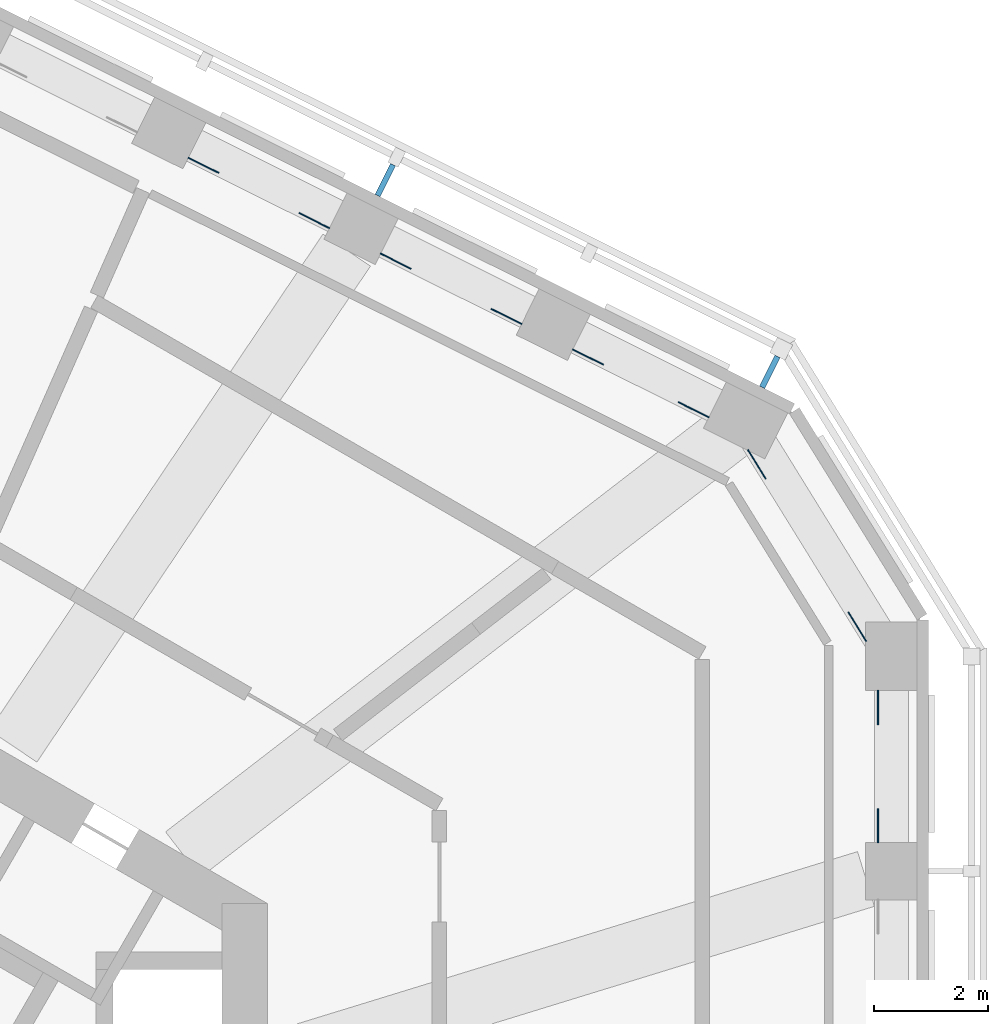
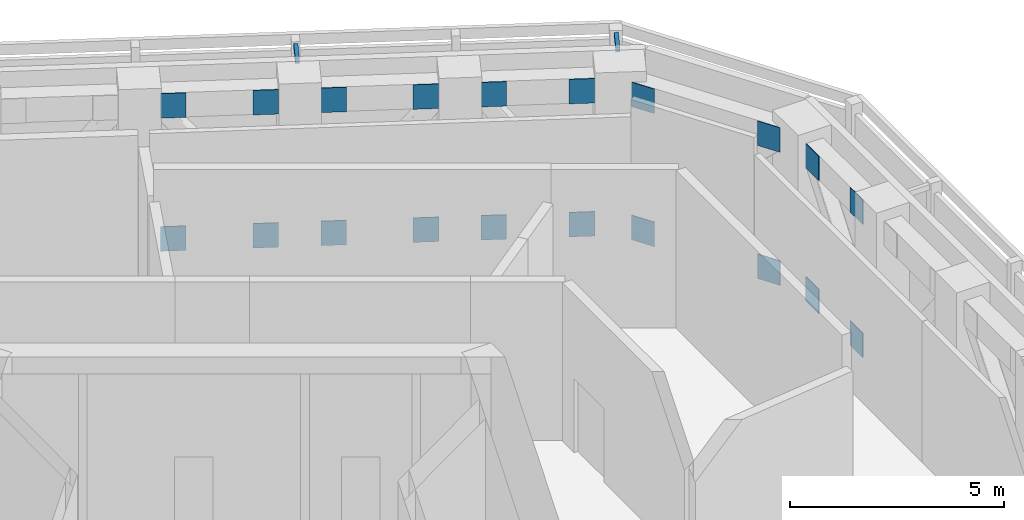
# One storey, part 14 of 15: 22 discrete accessories.
"""IFC4 building model written with IfcOpenShell, lengths in metres."""

import ifcopenshell
import ifcopenshell.guid

model = None  # the IFC model being written
_history = None  # IfcOwnerHistory: only IFC2X3 demands one
_inside = {}  # id of a spatial element -> (the spatial element, [elements in it])
_under = {}  # id of a project, library or spatial element -> (it, [spatial elements below it])
_declared = {}  # id of a project -> (the project, [libraries it declares])
_typed = {}  # id of a type object -> (the type object, [elements of that type])
_made_of = {}  # id of a material, layer set ... -> (it, [elements and type objects made of it])


def new_model(schema):
    """Start an empty IFC model of exactly this schema.

    Asked for "IFC4X3", IfcOpenShell would pick the latest addendum, in which some entities
    have other attributes; the version numbers below select the first issue.
    IFC2X3 requires an IfcOwnerHistory on every rooted entity: one is made here for all.
    """
    global model, _history
    if schema == "IFC4X3":
        model = ifcopenshell.file(schema_version=(4, 3, 0, 0))
    else:
        model = ifcopenshell.file(schema=schema)
    _inside.clear()
    _under.clear()
    _declared.clear()
    _typed.clear()
    _made_of.clear()
    _history = None
    if model.schema == "IFC2X3":
        org = make("IfcOrganization", Name="unknown")
        user = make(
            "IfcPersonAndOrganization",
            ThePerson=make("IfcPerson", FamilyName="unknown"),
            TheOrganization=org,
        )
        app = make(
            "IfcApplication",
            ApplicationDeveloper=org,
            Version="unknown",
            ApplicationFullName="unknown",
            ApplicationIdentifier="unknown",
        )
        _history = make(
            "IfcOwnerHistory",
            OwningUser=user,
            OwningApplication=app,
            ChangeAction="ADDED",
            CreationDate=0,
        )
    return model


def make(cls, **values):
    """One entity of the class cls with the attributes given. An attribute that is None is left unset."""
    return model.create_entity(
        cls, **{name: value for name, value in values.items() if value is not None}
    )


def rooted(cls, **values):
    """An entity with a GlobalId (a new one), such as an element, a storey or a relation."""
    return make(cls, GlobalId=ifcopenshell.guid.new(), OwnerHistory=_history, **values)


def si_unit(unit_type, name, prefix=None):
    """IfcSIUnit, for example si_unit("LENGTHUNIT", "METRE", prefix="MILLI")."""
    return make("IfcSIUnit", UnitType=unit_type, Prefix=prefix, Name=name)


def assignment(units):
    """IfcUnitAssignment: the units of a project."""
    return None if units is None else make("IfcUnitAssignment", Units=units)


def point(xyz):
    """IfcCartesianPoint."""
    return None if xyz is None else make("IfcCartesianPoint", Coordinates=xyz)


def direction(xyz):
    """IfcDirection."""
    return None if xyz is None else make("IfcDirection", DirectionRatios=xyz)


def frame(location, z_axis=None, x_axis=None):
    """IfcAxis2Placement3D, a coordinate frame: its origin and axes. An axis left out is left unset."""
    return make(
        "IfcAxis2Placement3D",
        Location=point(location),
        Axis=direction(z_axis),
        RefDirection=direction(x_axis),
    )


def frame_2d(location, x_axis=None):
    """IfcAxis2Placement2D, a coordinate frame in the plane: its origin and x axis."""
    return make(
        "IfcAxis2Placement2D", Location=point(location), RefDirection=direction(x_axis)
    )


def origin():
    """The frame at (0, 0, 0) with its axes left unset."""
    return frame((0.0, 0.0, 0.0))


def origin_2d():
    """The frame at (0, 0) in the plane with its x axis left unset."""
    return frame_2d((0.0, 0.0))


def place(relative_to, where):
    """IfcLocalPlacement: puts the frame where relative to a parent placement (None: the world)."""
    return make(
        "IfcLocalPlacement", PlacementRelTo=relative_to, RelativePlacement=where
    )


def context(
    kind, dimensions, precision=None, world=None, true_north=None, identifier=None
):
    """IfcGeometricRepresentationContext, for example the 3D "Model" context."""
    return make(
        "IfcGeometricRepresentationContext",
        ContextIdentifier=identifier,
        ContextType=kind,
        CoordinateSpaceDimension=dimensions,
        Precision=precision,
        WorldCoordinateSystem=world,
        TrueNorth=true_north,
    )


def subcontext(parent, identifier, kind, view, scale=None):
    """IfcGeometricRepresentationSubContext, for example "Body" below "Model"."""
    return make(
        "IfcGeometricRepresentationSubContext",
        ContextIdentifier=identifier,
        ContextType=kind,
        ParentContext=parent,
        TargetScale=scale,
        TargetView=view,
    )


def project(units=None, contexts=None):
    """IfcProject with its units and contexts."""
    return rooted(
        "IfcProject",
        Name="project",
        RepresentationContexts=contexts,
        UnitsInContext=assignment(units),
    )


def spatial(cls, under=None, at=None, **own):
    """A site, building, storey or space (cls), placed at a placement, below another one or the project."""
    s = rooted(cls, ObjectPlacement=at, **own)
    if under is not None:
        _under.setdefault(under.id(), (under, []))[1].append(s)
    return s


def profile(cls, at=None, kind="AREA", **sizes):
    """A parametric profile (cls). Its sizes go by their IFC names, for example OverallWidth=200.0."""
    return make(cls, ProfileType=kind, Position=at, **sizes)


def rectangle(**sizes):
    """IfcRectangleProfileDef."""
    return profile("IfcRectangleProfileDef", **sizes)


def extrude(swept, where, along, depth):
    """IfcExtrudedAreaSolid: the profile swept, set in the frame where, extruded along a direction by depth."""
    return make(
        "IfcExtrudedAreaSolid",
        SweptArea=swept,
        Position=where,
        ExtrudedDirection=direction(along),
        Depth=depth,
    )


def shape(context_of_items, identifier, shape_type, items):
    """IfcShapeRepresentation: the items that make up one representation, for example the "Body"."""
    return make(
        "IfcShapeRepresentation",
        ContextOfItems=context_of_items,
        RepresentationIdentifier=identifier,
        RepresentationType=shape_type,
        Items=items,
    )


def material(Name=None, Category=None):
    """IfcMaterial."""
    return make("IfcMaterial", Name=Name, Category=Category)


def layer(
    of_material, thickness, ventilated=None, Name=None, Category=None, Priority=None
):
    """IfcMaterialLayer: one layer of a wall or slab, of a material (None: an air gap)."""
    return make(
        "IfcMaterialLayer",
        Material=of_material,
        LayerThickness=thickness,
        IsVentilated=ventilated,
        Name=Name,
        Category=Category,
        Priority=Priority,
    )


def layer_set(layers, Name=None):
    """IfcMaterialLayerSet."""
    return make("IfcMaterialLayerSet", MaterialLayers=layers, LayerSetName=Name)


def made_of(thing, what):
    """Note that an element or type object is made of a material, layer set ...; save() writes the relation."""
    if what is not None:
        _made_of.setdefault(what.id(), (what, []))[1].append(thing)
    return thing


def type_object(cls, material=None, **own):
    """A type object (cls), such as IfcWallType, which elements share."""
    return made_of(rooted(cls, **own), material)


def element(
    cls,
    number,
    at=None,
    inside=None,
    cuts=None,
    type_object=None,
    material=None,
    context=None,
    identifier="Body",
    shape_type=None,
    held_by="IfcProductDefinitionShape",
    body=None,
    shapes=None,
    **own,
):
    """One element of the class cls, such as IfcWall. Its Tag is "e" and its number.

    at: its placement. inside: the storey or other place that contains it. cuts: it is an
    opening in that element (IfcRelVoidsElement). A single representation is given by context,
    identifier, shape_type and body (its items); several are given by shapes. held_by: the class
    of the entity that holds the representations. save() writes the other relations.
    """
    e = rooted(cls, Tag="e%d" % number, ObjectPlacement=at, **own)
    if body is not None:
        shapes = [shape(context, identifier, shape_type, body)]
    if shapes is not None:
        e.Representation = make(held_by, Representations=shapes)
    if inside is not None:
        _inside.setdefault(inside.id(), (inside, []))[1].append(e)
    if cuts is not None:
        rooted(
            "IfcRelVoidsElement", RelatingBuildingElement=cuts, RelatedOpeningElement=e
        )
    if type_object is not None:
        _typed.setdefault(type_object.id(), (type_object, []))[1].append(e)
    return made_of(e, material)


def aggregate(whole, parts):
    """IfcRelAggregates: a whole, such as a stair, and the parts it consists of."""
    return rooted("IfcRelAggregates", RelatingObject=whole, RelatedObjects=parts)


def save(model, path):
    """Write the relations noted so far, then the file.

    IfcRelAggregates (storeys below a building ...), IfcRelContainedInSpatialStructure (elements
    in a storey), IfcRelDefinesByType, IfcRelAssociatesMaterial and IfcRelDeclares: one each for
    every whole, place, type object, material and project.
    """
    for whole, parts in _under.values():
        aggregate(whole, parts)
    for where, things in _inside.values():
        rooted(
            "IfcRelContainedInSpatialStructure",
            RelatedElements=things,
            RelatingStructure=where,
        )
    for kind, things in _typed.values():
        rooted("IfcRelDefinesByType", RelatedObjects=things, RelatingType=kind)
    for what, things in _made_of.values():
        rooted("IfcRelAssociatesMaterial", RelatedObjects=things, RelatingMaterial=what)
    for by, libraries in _declared.values():
        rooted("IfcRelDeclares", RelatingContext=by, RelatedDefinitions=libraries)
    model.write(path)


model = new_model("IFC4")

# Units and contexts
model_context = context("Model", 3, precision=1e-05, world=origin(), true_north=direction((0.0, 1.0)))
body_context = subcontext(model_context, "Body", "Model", "MODEL_VIEW")
ifc_project = project(units=[si_unit("LENGTHUNIT", "METRE"), si_unit("AREAUNIT", "SQUARE_METRE"), si_unit("VOLUMEUNIT", "CUBIC_METRE"), si_unit("PLANEANGLEUNIT", "RADIAN"), si_unit("MASSUNIT", "GRAM", prefix="KILO")], contexts=[model_context])

# Site, building, storey
site_placement = place(None, origin())
site = spatial("IfcSite", under=ifc_project, at=site_placement, CompositionType="ELEMENT")
building_placement = place(site_placement, origin())
building = spatial("IfcBuilding", under=site, at=building_placement, Name="Vanh Sen Convention Tower", CompositionType="ELEMENT")
storey_placement = place(building_placement, frame((0.0, 0.0, 205.800048828125)))
storey = spatial("IfcBuildingStorey", under=building, at=storey_placement, Name="L51", CompositionType="ELEMENT", Elevation=205.800048828125)

# Discrete accessories
ifc_material_1 = material(Name="Steel S355", Category="steel")
ifc_layer = layer(ifc_material_1, 0.02001953125)
ifc_layer_set = layer_set([ifc_layer], Name="Steel S355")
discrete_accessory_type_1 = type_object("IfcDiscreteAccessoryType", Name="Belt truss gusset plate 600 x 700 x 20", PredefinedType="USERDEFINED", material=ifc_layer_set)
for number, where, z_axis, x_axis, name in (
    (1, (20.965087890625, 7.310302734375, 0.0), (0.0, 0.0, 1.0), (0.0, 1.0, 0.0), "GUSSET PLATE belt truss chord bottom 05 L51 start"),
    (2, (20.965087890625, 9.37451171875, 0.0), (0.0, 0.0, 1.0), (0.0, -1.0, 0.0), "GUSSET PLATE belt truss chord bottom 05 L51 end"),
    (3, (20.965087890625, 7.310302734375, 3.7998046875), (0.0, 0.0, 1.0), (0.0, 1.0, 0.0), "GUSSET PLATE belt truss chord top 05 L51 start"),
    (4, (20.965087890625, 9.37451171875, 3.7998046875), (0.0, 0.0, 1.0), (0.0, -1.0, 0.0), "GUSSET PLATE belt truss chord top 05 L51 end"),
    (5, (20.603271484375, 10.787109375, 0.0), (0.0, 0.0, 1.0), (-0.526200566285, 0.85036049064, 0.0), "GUSSET PLATE belt truss chord bottom 06 L51 start"),
    (6, (18.846923828125, 13.62548828125, 0.0), (0.0, 0.0, 1.0), (0.526200566285, -0.85036049064, 0.0), "GUSSET PLATE belt truss chord bottom 06 L51 end"),
    (7, (20.603271484375, 10.787109375, 3.7998046875), (0.0, 0.0, 1.0), (-0.526200566285, 0.85036049064, 0.0), "GUSSET PLATE belt truss chord top 06 L51 start"),
    (8, (18.846923828125, 13.62548828125, 3.7998046875), (0.0, 0.0, 1.0), (0.526200566285, -0.85036049064, 0.0), "GUSSET PLATE belt truss chord top 06 L51 end"),
    (9, (17.744140625, 14.579345703125, 0.0), (0.0, 0.0, 1.0), (-0.894943706551, 0.446179069551, 0.0), "GUSSET PLATE belt truss chord bottom 07 L51 start"),
    (10, (15.89697265625, 15.50048828125, 0.0), (0.0, 0.0, 1.0), (0.894943706551, -0.446179069551, 0.0), "GUSSET PLATE belt truss chord bottom 07 L51 end"),
    (11, (17.744140625, 14.579345703125, 3.7998046875), (0.0, 0.0, 1.0), (-0.894943706551, 0.446179069551, 0.0), "GUSSET PLATE belt truss chord top 07 L51 start"),
    (12, (15.89697265625, 15.50048828125, 3.7998046875), (0.0, 0.0, 1.0), (0.894943706551, -0.446179069551, 0.0), "GUSSET PLATE belt truss chord top 07 L51 end"),
    (13, (14.473876953125, 16.209716796875, 0.0), (0.0, 0.0, 1.0), (-0.894932804072, 0.446200937017, 0.0), "GUSSET PLATE belt truss chord bottom 08 L51 start"),
    (14, (12.537109375, 17.175537109375, 0.0), (0.0, 0.0, 1.0), (0.894932804072, -0.446200937017, 0.0), "GUSSET PLATE belt truss chord bottom 08 L51 end"),
    (15, (14.473876953125, 16.209716796875, 3.7998046875), (0.0, 0.0, 1.0), (-0.894932804072, 0.446200937017, 0.0), "GUSSET PLATE belt truss chord top 08 L51 start"),
    (16, (12.537109375, 17.175537109375, 3.7998046875), (0.0, 0.0, 1.0), (0.894932804072, -0.446200937017, 0.0), "GUSSET PLATE belt truss chord top 08 L51 end"),
    (17, (11.1142578125, 17.885009765625, 0.0), (0.0, 0.0, 1.0), (-0.894932804072, 0.446200937017, 0.0), "GUSSET PLATE belt truss chord bottom 09 L51 start"),
    (18, (9.177490234375, 18.8505859375, 0.0), (0.0, 0.0, 1.0), (0.894932804072, -0.446200937017, 0.0), "GUSSET PLATE belt truss chord bottom 09 L51 end"),
    (19, (11.1142578125, 17.885009765625, 3.7998046875), (0.0, 0.0, 1.0), (-0.894932804072, 0.446200937017, 0.0), "GUSSET PLATE belt truss chord top 09 L51 start"),
    (20, (9.177490234375, 18.8505859375, 3.7998046875), (0.0, 0.0, 1.0), (0.894932804072, -0.446200937017, 0.0), "GUSSET PLATE belt truss chord top 09 L51 end"),
):
    element("IfcDiscreteAccessory", number, at=place(storey_placement, frame(where, z_axis=z_axis, x_axis=x_axis)), inside=storey, type_object=discrete_accessory_type_1, Name=name, ObjectType="GUSSET PLATE", PredefinedType="USERDEFINED", context=body_context, shape_type="SweptSolid", body=[
        extrude(rectangle(XDim=0.60009765625, YDim=0.02001953125, at=origin_2d()), origin(), (0.0, 0.0, 1.0), 0.699951171875),
    ])
ifc_material_2 = material(Name="Steel S355", Category="steel")
discrete_accessory_type_2 = type_object("IfcDiscreteAccessoryType", Name="Fin bracket 100 x 150", PredefinedType="BRACKET", material=ifc_material_2)
for number, where, z_axis, x_axis, name in (
    (21, (19.073974609375, 15.240478515625, 4.60009765625), (0.0, 0.0, 1.0), (0.44619781311, 0.894934361602, 0.0), "Fin bracket NE-1 L51"),
    (22, (12.3544921875, 18.5908203125, 4.60009765625), (0.0, 0.0, 1.0), (0.44619781311, 0.894934361602, 0.0), "Fin bracket NE-3 L51"),
):
    element("IfcDiscreteAccessory", number, at=place(storey_placement, frame(where, z_axis=z_axis, x_axis=x_axis)), inside=storey, type_object=discrete_accessory_type_2, Name=name, PredefinedType="BRACKET", context=body_context, shape_type="SweptSolid", body=[
        extrude(rectangle(XDim=0.60009765625, YDim=0.10009765625, at=origin_2d()), origin(), (0.0, 0.0, 1.0), 0.14990234375),
    ])

save(model, "model.ifc")
